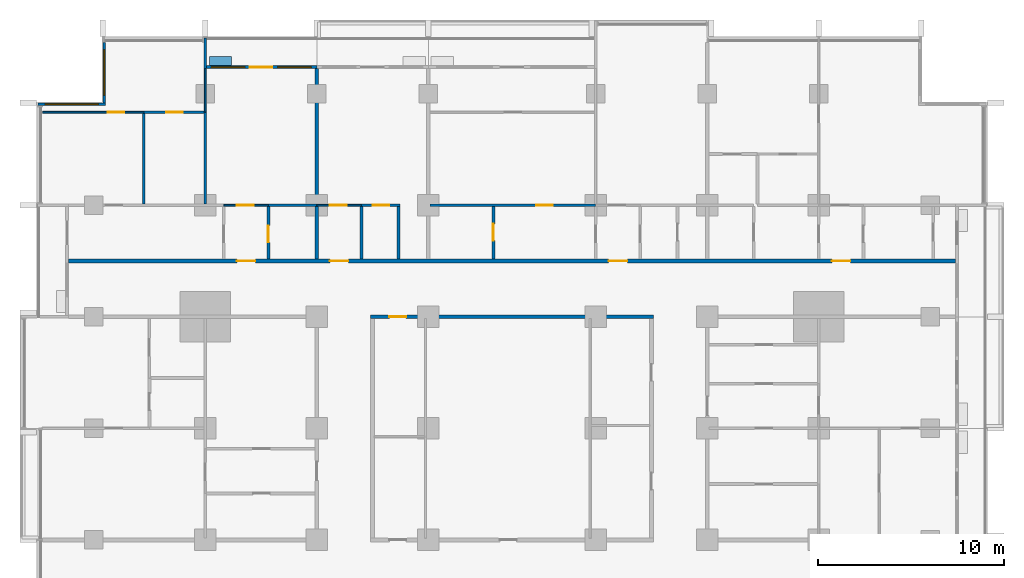
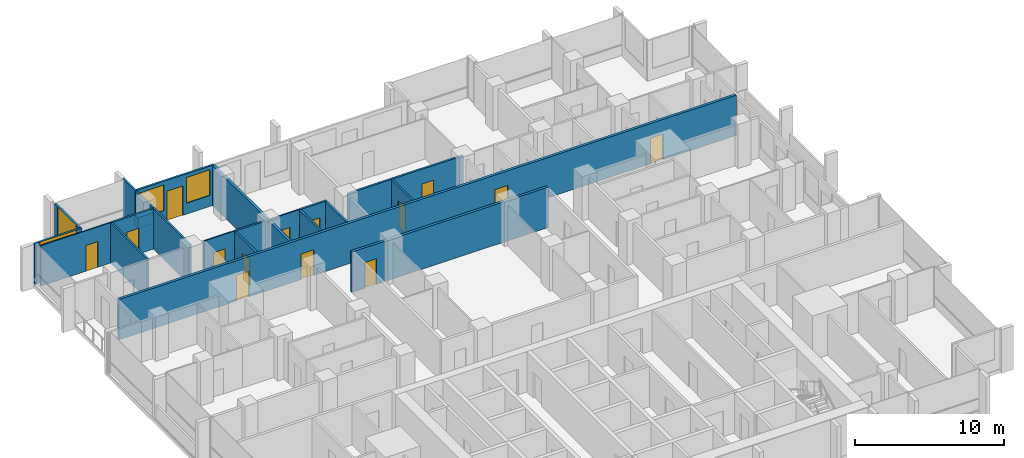
# One storey, part 11 of 18: 23 walls, 14 doors, 4 windows, 18 openings.
"""IFC4 building model written with IfcOpenShell, lengths in metres."""

from ifc_helpers import new_model, si_unit, direction, frame, frame_2d, origin, place, context, subcontext, project, spatial, rectangle, extrude, material, layer, layer_set, type_object, element, fill, save


model = new_model("IFC4")

# Units and contexts
model_context = context("Model", 3, precision=1e-05, world=origin(), true_north=direction((0.0, 1.0)))
body_context = subcontext(model_context, "Body", "Model", "MODEL_VIEW")
ifc_project = project(units=[si_unit("LENGTHUNIT", "METRE"), si_unit("AREAUNIT", "SQUARE_METRE"), si_unit("VOLUMEUNIT", "CUBIC_METRE"), si_unit("PLANEANGLEUNIT", "RADIAN"), si_unit("MASSUNIT", "GRAM", prefix="KILO")], contexts=[model_context])

# Site, building, storey
site_placement = place(None, origin())
site = spatial("IfcSite", under=ifc_project, at=site_placement, CompositionType="ELEMENT")
building_placement = place(site_placement, origin())
building = spatial("IfcBuilding", under=site, at=building_placement, Name="Finial Court Residences", CompositionType="ELEMENT")
storey_placement = place(building_placement, frame((0.0, 0.0, 109.89990234375)))
storey = spatial("IfcBuildingStorey", under=building, at=storey_placement, Name="L27", CompositionType="ELEMENT", Elevation=109.89990234375)

# Walls
ifc_material_1 = material(Name="Gypsum board")
ifc_layer_1 = layer(ifc_material_1, 0.02490234375)
ifc_material_2 = material(Name="Acoustic mineral wool in double frame")
ifc_layer_2 = layer(ifc_material_2, 0.14990234375)
ifc_layer_3 = layer(ifc_material_1, 0.02490234375)
ifc_layer_set_1 = layer_set([ifc_layer_1, ifc_layer_2, ifc_layer_3], Name="Acoustic party wall 200, 1 hour")
wall_type_1 = type_object("IfcWallType", Name="Acoustic party wall 200, 1 hour", PredefinedType="PARTITIONING", material=ifc_layer_set_1)
wall_1_placement = place(storey_placement, frame((-10.5, 10.60009765625, 0.0), z_axis=(0.0, 0.0, 1.0), x_axis=(0.0, 1.0, 0.0)))
element("IfcWall", 1, at=wall_1_placement, inside=storey, type_object=wall_type_1, Name="Partition L27-061", PredefinedType="PARTITIONING", context=body_context, shape_type="SweptSolid", body=[
    extrude(rectangle(XDim=2.824951171875, YDim=0.199951171875, at=frame_2d((1.41259765625, 0.0))), origin(), (0.0, 0.0, 1.0), 3.300048828125),
])
wall_2_placement = place(storey_placement, frame((-10.5, 13.574951171875, 0.0), z_axis=(0.0, 0.0, 1.0), x_axis=(0.0, 1.0, 0.0)))
element("IfcWall", 2, at=wall_2_placement, inside=storey, type_object=wall_type_1, Name="Partition L27-062", PredefinedType="PARTITIONING", context=body_context, shape_type="SweptSolid", body=[
    extrude(rectangle(XDim=7.275146484375, YDim=0.199951171875, at=frame_2d((3.6376953125, 0.0))), origin(), (0.0, 0.0, 1.0), 3.300048828125),
])

# Wall, opening, door
ifc_layer_4 = layer(ifc_material_1, 0.02490234375)
ifc_layer_5 = layer(ifc_material_2, 0.14990234375)
ifc_layer_6 = layer(ifc_material_1, 0.02490234375)
ifc_layer_set_2 = layer_set([ifc_layer_4, ifc_layer_5, ifc_layer_6], Name="Corridor wall 200, 1 hour")
wall_type_2 = type_object("IfcWallType", Name="Corridor wall 200, 1 hour", PredefinedType="PARTITIONING", material=ifc_layer_set_2)
wall_3_placement = place(storey_placement, frame((-7.60009765625, 7.5, 0.0), z_axis=(0.0, 0.0, 1.0), x_axis=(1.0, 0.0, 0.0)))
wall_3 = element("IfcWall", 3, at=wall_3_placement, inside=storey, type_object=wall_type_2, Name="Partition L27-025", PredefinedType="PARTITIONING", context=body_context, shape_type="SweptSolid", body=[
    extrude(rectangle(XDim=15.2001953125, YDim=0.199951171875, at=frame_2d((7.60009765625, 0.0))), origin(), (0.0, 0.0, 1.0), 3.300048828125),
])
opening_1_placement = place(wall_3_placement, frame((1.0, 0.0, 0.0)))
opening_1 = element("IfcOpeningElement", 4, at=opening_1_placement, cuts=wall_3, Name="Opening L27-D017", PredefinedType="OPENING", context=body_context, shape_type="SweptSolid", body=[
    extrude(rectangle(XDim=0.89990234375, YDim=2.10009765625, at=frame_2d((0.449951171875, 1.050048828125))), frame((0.0, 0.10986328125, 0.0), z_axis=(0.0, -1.0, 0.0), x_axis=(1.0, 0.0, 0.0)), (0.0, 0.0, 1.0), 0.219970703125),
])
ifc_material_3 = material(Name="Timber door leaf in hollow metal frame", Category="wood")
door_type_1 = type_object("IfcDoorType", Name="Fire door set 900 x 2100, 30 minutes", OperationType="SINGLE_SWING_LEFT", PredefinedType="DOOR", material=ifc_material_3)
door_1_placement = place(opening_1_placement, origin())
door_1 = element("IfcDoor", 5, at=door_1_placement, inside=storey, type_object=door_type_1, Name="Door L27-D017", OperationType="SINGLE_SWING_LEFT", OverallHeight=2.10009765625, OverallWidth=0.89990234375, PredefinedType="DOOR", context=body_context, shape_type="SweptSolid", body=[
    extrude(rectangle(XDim=0.89990234375, YDim=2.10009765625, at=frame_2d((0.449951171875, 1.050048828125))), frame((0.0, 0.02490234375, 0.0), z_axis=(0.0, -1.0, 0.0), x_axis=(1.0, 0.0, 0.0)), (0.0, 0.0, 1.0), 0.050048828125),
])
fill(opening_1, door_1)

# Wall, openings, doors
wall_4_placement = place(storey_placement, frame((-23.85009765625, 10.5, 0.0), z_axis=(0.0, 0.0, 1.0), x_axis=(1.0, 0.0, 0.0)))
wall_4 = element("IfcWall", 6, at=wall_4_placement, inside=storey, type_object=wall_type_2, Name="Partition L27-027", PredefinedType="PARTITIONING", context=body_context, shape_type="SweptSolid", body=[
    extrude(rectangle(XDim=47.7001953125, YDim=0.199951171875, at=frame_2d((23.85009765625, 0.0))), origin(), (0.0, 0.0, 1.0), 3.300048828125),
])
opening_2_placement = place(wall_4_placement, frame((9.050048828125, 0.0, 0.0)))
opening_2 = element("IfcOpeningElement", 7, at=opening_2_placement, cuts=wall_4, Name="Opening L27-D018", PredefinedType="OPENING", context=body_context, shape_type="SweptSolid", body=[
    extrude(rectangle(XDim=1.0, YDim=2.10009765625, at=frame_2d((0.5, 1.050048828125))), frame((0.0, 0.10986328125, 0.0), z_axis=(0.0, -1.0, 0.0), x_axis=(1.0, 0.0, 0.0)), (0.0, 0.0, 1.0), 0.219970703125),
])
opening_3_placement = place(wall_4_placement, frame((14.050048828125, 0.0, 0.0)))
opening_3 = element("IfcOpeningElement", 8, at=opening_3_placement, cuts=wall_4, Name="Opening L27-D019", PredefinedType="OPENING", context=body_context, shape_type="SweptSolid", body=[
    extrude(rectangle(XDim=1.0, YDim=2.10009765625, at=frame_2d((0.5, 1.050048828125))), frame((0.0, 0.10986328125, 0.0), z_axis=(0.0, -1.0, 0.0), x_axis=(1.0, 0.0, 0.0)), (0.0, 0.0, 1.0), 0.219970703125),
])
opening_4_placement = place(wall_4_placement, frame((29.050048828125, 0.0, 0.0)))
opening_4 = element("IfcOpeningElement", 9, at=opening_4_placement, cuts=wall_4, Name="Opening L27-D020", PredefinedType="OPENING", context=body_context, shape_type="SweptSolid", body=[
    extrude(rectangle(XDim=1.0, YDim=2.10009765625, at=frame_2d((0.5, 1.050048828125))), frame((0.0, 0.10986328125, 0.0), z_axis=(0.0, -1.0, 0.0), x_axis=(1.0, 0.0, 0.0)), (0.0, 0.0, 1.0), 0.219970703125),
])
opening_5_placement = place(wall_4_placement, frame((41.050048828125, 0.0, 0.0)))
opening_5 = element("IfcOpeningElement", 10, at=opening_5_placement, cuts=wall_4, Name="Opening L27-D021", PredefinedType="OPENING", context=body_context, shape_type="SweptSolid", body=[
    extrude(rectangle(XDim=1.0, YDim=2.10009765625, at=frame_2d((0.5, 1.050048828125))), frame((0.0, 0.10986328125, 0.0), z_axis=(0.0, -1.0, 0.0), x_axis=(1.0, 0.0, 0.0)), (0.0, 0.0, 1.0), 0.219970703125),
])
door_type_2 = type_object("IfcDoorType", Name="Fire door set 1000 x 2100, 30 minutes", OperationType="SINGLE_SWING_LEFT", PredefinedType="DOOR", material=ifc_material_3)
door_2_placement = place(opening_2_placement, origin())
door_2 = element("IfcDoor", 11, at=door_2_placement, inside=storey, type_object=door_type_2, Name="Door L27-D018", OperationType="SINGLE_SWING_RIGHT", OverallHeight=2.10009765625, OverallWidth=1.0, PredefinedType="DOOR", context=body_context, shape_type="SweptSolid", body=[
    extrude(rectangle(XDim=1.0, YDim=2.10009765625, at=frame_2d((0.5, 1.050048828125))), frame((0.0, 0.02490234375, 0.0), z_axis=(0.0, -1.0, 0.0), x_axis=(1.0, 0.0, 0.0)), (0.0, 0.0, 1.0), 0.050048828125),
])
fill(opening_2, door_2)
door_3_placement = place(opening_3_placement, origin())
door_3 = element("IfcDoor", 12, at=door_3_placement, inside=storey, type_object=door_type_2, Name="Door L27-D019", OperationType="SINGLE_SWING_RIGHT", OverallHeight=2.10009765625, OverallWidth=1.0, PredefinedType="DOOR", context=body_context, shape_type="SweptSolid", body=[
    extrude(rectangle(XDim=1.0, YDim=2.10009765625, at=frame_2d((0.5, 1.050048828125))), frame((0.0, 0.02490234375, 0.0), z_axis=(0.0, -1.0, 0.0), x_axis=(1.0, 0.0, 0.0)), (0.0, 0.0, 1.0), 0.050048828125),
])
fill(opening_3, door_3)
door_4_placement = place(opening_4_placement, origin())
door_4 = element("IfcDoor", 13, at=door_4_placement, inside=storey, type_object=door_type_2, Name="Door L27-D020", OperationType="SINGLE_SWING_LEFT", OverallHeight=2.10009765625, OverallWidth=1.0, PredefinedType="DOOR", context=body_context, shape_type="SweptSolid", body=[
    extrude(rectangle(XDim=1.0, YDim=2.10009765625, at=frame_2d((0.5, 1.050048828125))), frame((0.0, 0.02490234375, 0.0), z_axis=(0.0, -1.0, 0.0), x_axis=(1.0, 0.0, 0.0)), (0.0, 0.0, 1.0), 0.050048828125),
])
fill(opening_4, door_4)
door_5_placement = place(opening_5_placement, origin())
door_5 = element("IfcDoor", 14, at=door_5_placement, inside=storey, type_object=door_type_2, Name="Door L27-D021", OperationType="SINGLE_SWING_LEFT", OverallHeight=2.10009765625, OverallWidth=1.0, PredefinedType="DOOR", context=body_context, shape_type="SweptSolid", body=[
    extrude(rectangle(XDim=1.0, YDim=2.10009765625, at=frame_2d((0.5, 1.050048828125))), frame((0.0, 0.02490234375, 0.0), z_axis=(0.0, -1.0, 0.0), x_axis=(1.0, 0.0, 0.0)), (0.0, 0.0, 1.0), 0.050048828125),
])
fill(opening_5, door_5)

# Wall, opening, door
ifc_layer_7 = layer(ifc_material_1, 0.012451171875)
ifc_material_4 = material(Name="Mineral wool in light-gauge frame")
ifc_layer_8 = layer(ifc_material_4, 0.074951171875)
ifc_layer_9 = layer(ifc_material_1, 0.012451171875)
ifc_layer_set_3 = layer_set([ifc_layer_7, ifc_layer_8, ifc_layer_9], Name="Gypsum board partition 100")
wall_type_3 = type_object("IfcWallType", Name="Gypsum board partition 100", PredefinedType="PARTITIONING", material=ifc_layer_set_3)
wall_5_placement = place(storey_placement, frame((-15.5, 13.5, 0.0), z_axis=(0.0, 0.0, 1.0), x_axis=(1.0, 0.0, 0.0)))
wall_5 = element("IfcWall", 15, at=wall_5_placement, inside=storey, type_object=wall_type_3, Name="Partition L27-028", PredefinedType="PARTITIONING", context=body_context, shape_type="SweptSolid", body=[
    extrude(rectangle(XDim=2.39990234375, YDim=0.10009765625, at=frame_2d((1.199951171875, 0.0))), origin(), (0.0, 0.0, 1.0), 3.300048828125),
])
opening_6_placement = place(wall_5_placement, frame((0.699951171875, 0.0, 0.0)))
opening_6 = element("IfcOpeningElement", 16, at=opening_6_placement, cuts=wall_5, Name="Opening L27-D022", PredefinedType="OPENING", context=body_context, shape_type="SweptSolid", body=[
    extrude(rectangle(XDim=0.89990234375, YDim=2.10009765625, at=frame_2d((0.449951171875, 1.050048828125))), frame((0.0, 0.06005859375, 0.0), z_axis=(0.0, -1.0, 0.0), x_axis=(1.0, 0.0, 0.0)), (0.0, 0.0, 1.0), 0.1201171875),
])
ifc_material_5 = material(Name="Timber door leaf in timber frame", Category="wood")
door_type_3 = type_object("IfcDoorType", Name="Door set 900 x 2100", OperationType="SINGLE_SWING_LEFT", PredefinedType="DOOR", material=ifc_material_5)
door_6_placement = place(opening_6_placement, origin())
door_6 = element("IfcDoor", 17, at=door_6_placement, inside=storey, type_object=door_type_3, Name="Door L27-D022", OperationType="SINGLE_SWING_RIGHT", OverallHeight=2.10009765625, OverallWidth=0.89990234375, PredefinedType="DOOR", context=body_context, shape_type="SweptSolid", body=[
    extrude(rectangle(XDim=0.89990234375, YDim=2.10009765625, at=frame_2d((0.449951171875, 1.050048828125))), frame((0.0, 0.02490234375, 0.0), z_axis=(0.0, -1.0, 0.0), x_axis=(1.0, 0.0, 0.0)), (0.0, 0.0, 1.0), 0.050048828125),
])
fill(opening_6, door_6)

wall_6_placement = place(storey_placement, frame((-10.5, 13.5, 0.0), z_axis=(0.0, 0.0, 1.0), x_axis=(1.0, 0.0, 0.0)))
wall_6 = element("IfcWall", 18, at=wall_6_placement, inside=storey, type_object=wall_type_3, Name="Partition L27-029", PredefinedType="PARTITIONING", context=body_context, shape_type="SweptSolid", body=[
    extrude(rectangle(XDim=2.39990234375, YDim=0.10009765625, at=frame_2d((1.199951171875, 0.0))), origin(), (0.0, 0.0, 1.0), 3.300048828125),
])
opening_7_placement = place(wall_6_placement, frame((0.699951171875, 0.0, 0.0)))
opening_7 = element("IfcOpeningElement", 19, at=opening_7_placement, cuts=wall_6, Name="Opening L27-D023", PredefinedType="OPENING", context=body_context, shape_type="SweptSolid", body=[
    extrude(rectangle(XDim=0.89990234375, YDim=2.10009765625, at=frame_2d((0.449951171875, 1.050048828125))), frame((0.0, 0.06005859375, 0.0), z_axis=(0.0, -1.0, 0.0), x_axis=(1.0, 0.0, 0.0)), (0.0, 0.0, 1.0), 0.1201171875),
])
door_7_placement = place(opening_7_placement, origin())
door_7 = element("IfcDoor", 20, at=door_7_placement, inside=storey, type_object=door_type_3, Name="Door L27-D023", OperationType="SINGLE_SWING_LEFT", OverallHeight=2.10009765625, OverallWidth=0.89990234375, PredefinedType="DOOR", context=body_context, shape_type="SweptSolid", body=[
    extrude(rectangle(XDim=0.89990234375, YDim=2.10009765625, at=frame_2d((0.449951171875, 1.050048828125))), frame((0.0, 0.02490234375, 0.0), z_axis=(0.0, -1.0, 0.0), x_axis=(1.0, 0.0, 0.0)), (0.0, 0.0, 1.0), 0.050048828125),
])
fill(opening_7, door_7)

wall_7_placement = place(storey_placement, frame((-25.25, 18.5, 0.0), z_axis=(0.0, 0.0, 1.0), x_axis=(1.0, 0.0, 0.0)))
wall_7 = element("IfcWall", 21, at=wall_7_placement, inside=storey, type_object=wall_type_3, Name="Partition L27-041", PredefinedType="PARTITIONING", context=body_context, shape_type="SweptSolid", body=[
    extrude(rectangle(XDim=5.449951171875, YDim=0.10009765625, at=frame_2d((2.72509765625, 0.0))), origin(), (0.0, 0.0, 1.0), 3.300048828125),
])
opening_8_placement = place(wall_7_placement, frame((3.5, 0.0, 0.0)))
opening_8 = element("IfcOpeningElement", 22, at=opening_8_placement, cuts=wall_7, Name="Opening L27-D031", PredefinedType="OPENING", context=body_context, shape_type="SweptSolid", body=[
    extrude(rectangle(XDim=0.89990234375, YDim=2.10009765625, at=frame_2d((0.449951171875, 1.050048828125))), frame((0.0, 0.06005859375, 0.0), z_axis=(0.0, -1.0, 0.0), x_axis=(1.0, 0.0, 0.0)), (0.0, 0.0, 1.0), 0.1201171875),
])
door_8_placement = place(opening_8_placement, origin())
door_8 = element("IfcDoor", 23, at=door_8_placement, inside=storey, type_object=door_type_3, Name="Door L27-D031", OperationType="SINGLE_SWING_LEFT", OverallHeight=2.10009765625, OverallWidth=0.89990234375, PredefinedType="DOOR", context=body_context, shape_type="SweptSolid", body=[
    extrude(rectangle(XDim=0.89990234375, YDim=2.10009765625, at=frame_2d((0.449951171875, 1.050048828125))), frame((0.0, 0.02490234375, 0.0), z_axis=(0.0, -1.0, 0.0), x_axis=(1.0, 0.0, 0.0)), (0.0, 0.0, 1.0), 0.050048828125),
])
fill(opening_8, door_8)

# Walls
wall_8_placement = place(storey_placement, frame((-16.5, 18.5, 0.0), z_axis=(0.0, 0.0, 1.0), x_axis=(0.0, 1.0, 0.0)))
element("IfcWall", 24, at=wall_8_placement, inside=storey, type_object=wall_type_3, Name="Partition L27-051", PredefinedType="PARTITIONING", context=body_context, shape_type="SweptSolid", body=[
    extrude(rectangle(XDim=2.35009765625, YDim=0.10009765625, at=frame_2d((1.175048828125, 0.0))), origin(), (0.0, 0.0, 1.0), 3.300048828125),
])
ifc_material_6 = material(Name="Moisture-resistant gypsum board")
ifc_layer_10 = layer(ifc_material_6, 0.012451171875)
ifc_layer_11 = layer(ifc_material_4, 0.125)
ifc_layer_12 = layer(ifc_material_6, 0.012451171875)
ifc_layer_set_4 = layer_set([ifc_layer_10, ifc_layer_11, ifc_layer_12], Name="Gypsum board wet-area partition 150")
wall_type_4 = type_object("IfcWallType", Name="Gypsum board wet-area partition 150", PredefinedType="PARTITIONING", material=ifc_layer_set_4)
wall_9_placement = place(storey_placement, frame((-13.10009765625, 13.5, 0.0), z_axis=(0.0, 0.0, 1.0), x_axis=(1.0, 0.0, 0.0)))
element("IfcWall", 25, at=wall_9_placement, inside=storey, type_object=wall_type_4, Name="Partition L27-033", PredefinedType="PARTITIONING", context=body_context, shape_type="SweptSolid", body=[
    extrude(rectangle(XDim=2.60009765625, YDim=0.14990234375, at=frame_2d((1.300048828125, 0.0))), origin(), (0.0, 0.0, 1.0), 3.300048828125),
])

# Wall, opening, door
wall_10_placement = place(storey_placement, frame((-8.10009765625, 13.5, 0.0), z_axis=(0.0, 0.0, 1.0), x_axis=(1.0, 0.0, 0.0)))
wall_10 = element("IfcWall", 26, at=wall_10_placement, inside=storey, type_object=wall_type_4, Name="Partition L27-034", PredefinedType="PARTITIONING", context=body_context, shape_type="SweptSolid", body=[
    extrude(rectangle(XDim=2.0751953125, YDim=0.14990234375, at=frame_2d((1.03759765625, 0.0))), origin(), (0.0, 0.0, 1.0), 3.300048828125),
])
opening_9_placement = place(wall_10_placement, frame((0.60009765625, 0.0, 0.0)))
opening_9 = element("IfcOpeningElement", 27, at=opening_9_placement, cuts=wall_10, Name="Opening L27-D027", PredefinedType="OPENING", context=body_context, shape_type="SweptSolid", body=[
    extrude(rectangle(XDim=0.89990234375, YDim=2.10009765625, at=frame_2d((0.449951171875, 1.050048828125))), frame((0.0, 0.0849609375, 0.0), z_axis=(0.0, -1.0, 0.0), x_axis=(1.0, 0.0, 0.0)), (0.0, 0.0, 1.0), 0.169921875),
])
door_9_placement = place(opening_9_placement, origin())
door_9 = element("IfcDoor", 28, at=door_9_placement, inside=storey, type_object=door_type_3, Name="Door L27-D027", OperationType="SINGLE_SWING_LEFT", OverallHeight=2.10009765625, OverallWidth=0.89990234375, PredefinedType="DOOR", context=body_context, shape_type="SweptSolid", body=[
    extrude(rectangle(XDim=0.89990234375, YDim=2.10009765625, at=frame_2d((0.449951171875, 1.050048828125))), frame((0.0, 0.02490234375, 0.0), z_axis=(0.0, -1.0, 0.0), x_axis=(1.0, 0.0, 0.0)), (0.0, 0.0, 1.0), 0.050048828125),
])
fill(opening_9, door_9)

wall_11_placement = place(storey_placement, frame((-4.39990234375, 13.5, 0.0), z_axis=(0.0, 0.0, 1.0), x_axis=(1.0, 0.0, 0.0)))
wall_11 = element("IfcWall", 29, at=wall_11_placement, inside=storey, type_object=wall_type_4, Name="Partition L27-035", PredefinedType="PARTITIONING", context=body_context, shape_type="SweptSolid", body=[
    extrude(rectangle(XDim=8.89990234375, YDim=0.14990234375, at=frame_2d((4.449951171875, 0.0))), origin(), (0.0, 0.0, 1.0), 3.300048828125),
])
opening_10_placement = place(wall_11_placement, frame((5.699951171875, 0.0, 0.0)))
opening_10 = element("IfcOpeningElement", 30, at=opening_10_placement, cuts=wall_11, Name="Opening L27-D028", PredefinedType="OPENING", context=body_context, shape_type="SweptSolid", body=[
    extrude(rectangle(XDim=0.89990234375, YDim=2.10009765625, at=frame_2d((0.449951171875, 1.050048828125))), frame((0.0, 0.0849609375, 0.0), z_axis=(0.0, -1.0, 0.0), x_axis=(1.0, 0.0, 0.0)), (0.0, 0.0, 1.0), 0.169921875),
])
door_10_placement = place(opening_10_placement, origin())
door_10 = element("IfcDoor", 31, at=door_10_placement, inside=storey, type_object=door_type_3, Name="Door L27-D028", OperationType="SINGLE_SWING_LEFT", OverallHeight=2.10009765625, OverallWidth=0.89990234375, PredefinedType="DOOR", context=body_context, shape_type="SweptSolid", body=[
    extrude(rectangle(XDim=0.89990234375, YDim=2.10009765625, at=frame_2d((0.449951171875, 1.050048828125))), frame((0.0, 0.02490234375, 0.0), z_axis=(0.0, -1.0, 0.0), x_axis=(1.0, 0.0, 0.0)), (0.0, 0.0, 1.0), 0.050048828125),
])
fill(opening_10, door_10)

wall_12_placement = place(storey_placement, frame((-19.800048828125, 18.5, 0.0), z_axis=(0.0, 0.0, 1.0), x_axis=(1.0, 0.0, 0.0)))
wall_12 = element("IfcWall", 32, at=wall_12_placement, inside=storey, type_object=wall_type_4, Name="Partition L27-043", PredefinedType="PARTITIONING", context=body_context, shape_type="SweptSolid", body=[
    extrude(rectangle(XDim=3.22509765625, YDim=0.14990234375, at=frame_2d((1.612548828125, 0.0))), origin(), (0.0, 0.0, 1.0), 3.300048828125),
])
opening_11_placement = place(wall_12_placement, frame((1.199951171875, 0.0, 0.0)))
opening_11 = element("IfcOpeningElement", 33, at=opening_11_placement, cuts=wall_12, Name="Opening L27-D033", PredefinedType="OPENING", context=body_context, shape_type="SweptSolid", body=[
    extrude(rectangle(XDim=0.89990234375, YDim=2.10009765625, at=frame_2d((0.449951171875, 1.050048828125))), frame((0.0, 0.0849609375, 0.0), z_axis=(0.0, -1.0, 0.0), x_axis=(1.0, 0.0, 0.0)), (0.0, 0.0, 1.0), 0.169921875),
])
door_11_placement = place(opening_11_placement, origin())
door_11 = element("IfcDoor", 34, at=door_11_placement, inside=storey, type_object=door_type_3, Name="Door L27-D033", OperationType="SINGLE_SWING_RIGHT", OverallHeight=2.10009765625, OverallWidth=0.89990234375, PredefinedType="DOOR", context=body_context, shape_type="SweptSolid", body=[
    extrude(rectangle(XDim=0.89990234375, YDim=2.10009765625, at=frame_2d((0.449951171875, 1.050048828125))), frame((0.0, 0.02490234375, 0.0), z_axis=(0.0, -1.0, 0.0), x_axis=(1.0, 0.0, 0.0)), (0.0, 0.0, 1.0), 0.050048828125),
])
fill(opening_11, door_11)

# Walls
wall_13_placement = place(storey_placement, frame((-19.800048828125, 13.574951171875, 0.0), z_axis=(0.0, 0.0, 1.0), x_axis=(0.0, 1.0, 0.0)))
element("IfcWall", 35, at=wall_13_placement, inside=storey, type_object=wall_type_4, Name="Partition L27-046", PredefinedType="PARTITIONING", context=body_context, shape_type="SweptSolid", body=[
    extrude(rectangle(XDim=4.85009765625, YDim=0.14990234375, at=frame_2d((2.425048828125, 0.0))), origin(), (0.0, 0.0, 1.0), 3.300048828125),
])
wall_14_placement = place(storey_placement, frame((-16.5, 13.574951171875, 0.0), z_axis=(0.0, 0.0, 1.0), x_axis=(0.0, 1.0, 0.0)))
element("IfcWall", 36, at=wall_14_placement, inside=storey, type_object=wall_type_4, Name="Partition L27-054", PredefinedType="PARTITIONING", context=body_context, shape_type="SweptSolid", body=[
    extrude(rectangle(XDim=4.925048828125, YDim=0.14990234375, at=frame_2d((2.46240234375, 0.0))), origin(), (0.0, 0.0, 1.0), 3.300048828125),
])

# Wall, opening, door
wall_15_placement = place(storey_placement, frame((-13.10009765625, 10.60009765625, 0.0), z_axis=(0.0, 0.0, 1.0), x_axis=(0.0, 1.0, 0.0)))
wall_15 = element("IfcWall", 37, at=wall_15_placement, inside=storey, type_object=wall_type_4, Name="Partition L27-059", PredefinedType="PARTITIONING", context=body_context, shape_type="SweptSolid", body=[
    extrude(rectangle(XDim=2.824951171875, YDim=0.14990234375, at=frame_2d((1.41259765625, 0.0))), origin(), (0.0, 0.0, 1.0), 3.300048828125),
])
opening_12_placement = place(wall_15_placement, frame((0.89990234375, 0.0, 0.0)))
opening_12 = element("IfcOpeningElement", 38, at=opening_12_placement, cuts=wall_15, Name="Opening L27-D042", PredefinedType="OPENING", context=body_context, shape_type="SweptSolid", body=[
    extrude(rectangle(XDim=0.89990234375, YDim=2.10009765625, at=frame_2d((0.449951171875, 1.050048828125))), frame((0.0, 0.0849609375, 0.0), z_axis=(0.0, -1.0, 0.0), x_axis=(1.0, 0.0, 0.0)), (0.0, 0.0, 1.0), 0.169921875),
])
door_12_placement = place(opening_12_placement, origin())
door_12 = element("IfcDoor", 39, at=door_12_placement, inside=storey, type_object=door_type_3, Name="Door L27-D042", OperationType="SINGLE_SWING_RIGHT", OverallHeight=2.10009765625, OverallWidth=0.89990234375, PredefinedType="DOOR", context=body_context, shape_type="SweptSolid", body=[
    extrude(rectangle(XDim=0.89990234375, YDim=2.10009765625, at=frame_2d((0.449951171875, 1.050048828125))), frame((0.0, 0.02490234375, 0.0), z_axis=(0.0, -1.0, 0.0), x_axis=(1.0, 0.0, 0.0)), (0.0, 0.0, 1.0), 0.050048828125),
])
fill(opening_12, door_12)

# Walls
for number, where, z_axis, x_axis, name in (
    (40, (-8.10009765625, 10.60009765625, 0.0), (0.0, 0.0, 1.0), (0.0, 1.0, 0.0), "Partition L27-063"),
    (41, (-6.10009765625, 10.60009765625, 0.0), (0.0, 0.0, 1.0), (0.0, 1.0, 0.0), "Partition L27-065"),
):
    element("IfcWall", number, at=place(storey_placement, frame(where, z_axis=z_axis, x_axis=x_axis)), inside=storey, type_object=wall_type_4, Name=name, PredefinedType="PARTITIONING", context=body_context, shape_type="SweptSolid", body=[
        extrude(rectangle(XDim=2.824951171875, YDim=0.14990234375, at=frame_2d((1.41259765625, 0.0))), origin(), (0.0, 0.0, 1.0), 3.300048828125),
    ])

# Wall, opening, door
wall_16_placement = place(storey_placement, frame((-1.0, 10.60009765625, 0.0), z_axis=(0.0, 0.0, 1.0), x_axis=(0.0, 1.0, 0.0)))
wall_16 = element("IfcWall", 42, at=wall_16_placement, inside=storey, type_object=wall_type_4, Name="Partition L27-068", PredefinedType="PARTITIONING", context=body_context, shape_type="SweptSolid", body=[
    extrude(rectangle(XDim=2.824951171875, YDim=0.14990234375, at=frame_2d((1.41259765625, 0.0))), origin(), (0.0, 0.0, 1.0), 3.300048828125),
])
opening_13_placement = place(wall_16_placement, frame((1.0, 0.0, 0.0)))
opening_13 = element("IfcOpeningElement", 43, at=opening_13_placement, cuts=wall_16, Name="Opening L27-D044", PredefinedType="OPENING", context=body_context, shape_type="SweptSolid", body=[
    extrude(rectangle(XDim=0.89990234375, YDim=2.10009765625, at=frame_2d((0.449951171875, 1.050048828125))), frame((0.0, 0.0849609375, 0.0), z_axis=(0.0, -1.0, 0.0), x_axis=(1.0, 0.0, 0.0)), (0.0, 0.0, 1.0), 0.169921875),
])
door_13_placement = place(opening_13_placement, origin())
door_13 = element("IfcDoor", 44, at=door_13_placement, inside=storey, type_object=door_type_3, Name="Door L27-D044", OperationType="SINGLE_SWING_LEFT", OverallHeight=2.10009765625, OverallWidth=0.89990234375, PredefinedType="DOOR", context=body_context, shape_type="SweptSolid", body=[
    extrude(rectangle(XDim=0.89990234375, YDim=2.10009765625, at=frame_2d((0.449951171875, 1.050048828125))), frame((0.0, 0.02490234375, 0.0), z_axis=(0.0, -1.0, 0.0), x_axis=(1.0, 0.0, 0.0)), (0.0, 0.0, 1.0), 0.050048828125),
])
fill(opening_13, door_13)

# Wall, opening, window
ifc_material_7 = material(Name="Natural limestone", Category="masonry")
ifc_layer_13 = layer(ifc_material_7, 0.14990234375)
ifc_layer_set_5 = layer_set([ifc_layer_13], Name="Limestone clad wall 150")
wall_type_5 = type_object("IfcWallType", Name="Limestone clad wall 150", PredefinedType="SOLIDWALL", material=ifc_layer_set_5)
wall_17_placement = place(storey_placement, frame((-21.925048828125, 19.0, 0.0), z_axis=(0.0, 0.0, 1.0), x_axis=(0.0, 1.0, 0.0)))
wall_17 = element("IfcWall", 45, at=wall_17_placement, inside=storey, type_object=wall_type_5, Name="E-L27-NWW16", PredefinedType="SOLIDWALL", context=body_context, shape_type="SweptSolid", body=[
    extrude(rectangle(XDim=3.25, YDim=0.14990234375, at=frame_2d((1.625, 0.0))), origin(), (0.0, 0.0, 1.0), 3.300048828125),
])
opening_14_placement = place(wall_17_placement, frame((0.39990234375, 0.0, 0.89990234375)))
opening_14 = element("IfcOpeningElement", 46, at=opening_14_placement, cuts=wall_17, Name="Opening WE27-05", PredefinedType="OPENING", context=body_context, shape_type="SweptSolid", body=[
    extrude(rectangle(XDim=2.449951171875, YDim=2.39990234375, at=frame_2d((1.22509765625, 1.199951171875))), frame((0.0, 0.0849609375, 0.0), z_axis=(0.0, -1.0, 0.0), x_axis=(1.0, 0.0, 0.0)), (0.0, 0.0, 1.0), 0.169921875),
])
ifc_material_8 = material(Name="Clear low-e glass", Category="glass")
window_type_1 = type_object("IfcWindowType", Name="Corner window 2450 x 2400", PartitioningType="SINGLE_PANEL", PredefinedType="WINDOW", material=ifc_material_8)
window_1_placement = place(opening_14_placement, origin())
window_1 = element("IfcWindow", 47, at=window_1_placement, inside=storey, type_object=window_type_1, Name="E-L27-NWW16-W1", OverallHeight=2.39990234375, OverallWidth=2.449951171875, PartitioningType="SINGLE_PANEL", PredefinedType="WINDOW", context=body_context, shape_type="SweptSolid", body=[
    extrude(rectangle(XDim=2.449951171875, YDim=2.39990234375, at=frame_2d((1.22509765625, 1.199951171875))), frame((0.0, 0.030029296875, 0.0), z_axis=(0.0, -1.0, 0.0), x_axis=(1.0, 0.0, 0.0)), (0.0, 0.0, 1.0), 0.06005859375),
])
fill(opening_14, window_1)

wall_18_placement = place(storey_placement, frame((-25.5, 18.925048828125, 0.0), z_axis=(0.0, 0.0, 1.0), x_axis=(1.0, 0.0, 0.0)))
wall_18 = element("IfcWall", 48, at=wall_18_placement, inside=storey, type_object=wall_type_5, Name="E-L27-NWN17", PredefinedType="SOLIDWALL", context=body_context, shape_type="SweptSolid", body=[
    extrude(rectangle(XDim=3.64990234375, YDim=0.14990234375, at=frame_2d((1.824951171875, 0.0))), origin(), (0.0, 0.0, 1.0), 3.300048828125),
])
opening_15_placement = place(wall_18_placement, frame((0.39990234375, 0.0, 0.89990234375)))
opening_15 = element("IfcOpeningElement", 49, at=opening_15_placement, cuts=wall_18, Name="Opening WE27-06", PredefinedType="OPENING", context=body_context, shape_type="SweptSolid", body=[
    extrude(rectangle(XDim=2.85009765625, YDim=2.39990234375, at=frame_2d((1.425048828125, 1.199951171875))), frame((0.0, 0.0849609375, 0.0), z_axis=(0.0, -1.0, 0.0), x_axis=(1.0, 0.0, 0.0)), (0.0, 0.0, 1.0), 0.169921875),
])
window_type_2 = type_object("IfcWindowType", Name="Corner window 2850 x 2400", PartitioningType="SINGLE_PANEL", PredefinedType="WINDOW", material=ifc_material_8)
window_2_placement = place(opening_15_placement, origin())
window_2 = element("IfcWindow", 50, at=window_2_placement, inside=storey, type_object=window_type_2, Name="E-L27-NWN17-W1", OverallHeight=2.39990234375, OverallWidth=2.85009765625, PartitioningType="SINGLE_PANEL", PredefinedType="WINDOW", context=body_context, shape_type="SweptSolid", body=[
    extrude(rectangle(XDim=2.85009765625, YDim=2.39990234375, at=frame_2d((1.425048828125, 1.199951171875))), frame((0.0, 0.030029296875, 0.0), z_axis=(0.0, -1.0, 0.0), x_axis=(1.0, 0.0, 0.0)), (0.0, 0.0, 1.0), 0.06005859375),
])
fill(opening_15, window_2)

# Wall
wall_19_placement = place(storey_placement, frame((-16.5, 20.85009765625, 0.0), z_axis=(0.0, 0.0, 1.0), x_axis=(0.0, 1.0, 0.0)))
element("IfcWall", 51, at=wall_19_placement, inside=storey, type_object=wall_type_5, Name="E-L27-BALN2-P1", PredefinedType="SOLIDWALL", context=body_context, shape_type="SweptSolid", body=[
    extrude(rectangle(XDim=1.64990234375, YDim=0.14990234375, at=frame_2d((0.824951171875, 0.0))), origin(), (0.0, 0.0, 1.0), 3.300048828125),
])

# Wall, openings, door, windows
wall_20_placement = place(storey_placement, frame((-16.425048828125, 20.925048828125, 0.0), z_axis=(0.0, 0.0, 1.0), x_axis=(1.0, 0.0, 0.0)))
wall_20 = element("IfcWall", 52, at=wall_20_placement, inside=storey, type_object=wall_type_5, Name="E-L27-L27-BALN2-W", PredefinedType="SOLIDWALL", context=body_context, shape_type="SweptSolid", body=[
    extrude(rectangle(XDim=5.925048828125, YDim=0.14990234375, at=frame_2d((2.96240234375, 0.0))), origin(), (0.0, 0.0, 1.0), 3.300048828125),
])
opening_16_placement = place(wall_20_placement, frame((2.324951171875, 0.0, 0.0)))
opening_16 = element("IfcOpeningElement", 53, at=opening_16_placement, cuts=wall_20, Name="Opening DE27-01", PredefinedType="OPENING", context=body_context, shape_type="SweptSolid", body=[
    extrude(rectangle(XDim=1.199951171875, YDim=2.39990234375, at=frame_2d((0.60009765625, 1.199951171875))), frame((0.0, 0.0849609375, 0.0), z_axis=(0.0, -1.0, 0.0), x_axis=(1.0, 0.0, 0.0)), (0.0, 0.0, 1.0), 0.169921875),
])
opening_17_placement = place(wall_20_placement, frame((0.262451171875, 0.0, 0.89990234375)))
opening_17 = element("IfcOpeningElement", 54, at=opening_17_placement, cuts=wall_20, Name="Opening WE27-09", PredefinedType="OPENING", context=body_context, shape_type="SweptSolid", body=[
    extrude(rectangle(XDim=1.800048828125, YDim=2.10009765625, at=frame_2d((0.89990234375, 1.050048828125))), frame((0.0, 0.0849609375, 0.0), z_axis=(0.0, -1.0, 0.0), x_axis=(1.0, 0.0, 0.0)), (0.0, 0.0, 1.0), 0.169921875),
])
opening_18_placement = place(wall_20_placement, frame((3.824951171875, 0.0, 0.89990234375)))
opening_18 = element("IfcOpeningElement", 55, at=opening_18_placement, cuts=wall_20, Name="Opening WE27-10", PredefinedType="OPENING", context=body_context, shape_type="SweptSolid", body=[
    extrude(rectangle(XDim=1.800048828125, YDim=2.10009765625, at=frame_2d((0.89990234375, 1.050048828125))), frame((0.0, 0.0849609375, 0.0), z_axis=(0.0, -1.0, 0.0), x_axis=(1.0, 0.0, 0.0)), (0.0, 0.0, 1.0), 0.169921875),
])
ifc_material_9 = material(Name="Bronze anodised aluminium", Category="aluminium")
door_type_4 = type_object("IfcDoorType", Name="Balcony door 1200 x 2400", OperationType="SINGLE_SWING_LEFT", PredefinedType="DOOR", material=ifc_material_9)
door_14_placement = place(opening_16_placement, origin())
door_14 = element("IfcDoor", 56, at=door_14_placement, inside=storey, type_object=door_type_4, Name="E-L27-L27-BALN2-W-D", OperationType="SINGLE_SWING_LEFT", OverallHeight=2.39990234375, OverallWidth=1.199951171875, PredefinedType="DOOR", context=body_context, shape_type="SweptSolid", body=[
    extrude(rectangle(XDim=1.199951171875, YDim=2.39990234375, at=frame_2d((0.60009765625, 1.199951171875))), frame((0.0, 0.02490234375, 0.0), z_axis=(0.0, -1.0, 0.0), x_axis=(1.0, 0.0, 0.0)), (0.0, 0.0, 1.0), 0.050048828125),
])
fill(opening_16, door_14)
window_type_3 = type_object("IfcWindowType", Name="Balcony window 1800 x 2100", PartitioningType="SINGLE_PANEL", PredefinedType="WINDOW", material=ifc_material_8)
window_3_placement = place(opening_17_placement, origin())
window_3 = element("IfcWindow", 57, at=window_3_placement, inside=storey, type_object=window_type_3, Name="E-L27-L27-BALN2-W-W1", OverallHeight=2.10009765625, OverallWidth=1.800048828125, PartitioningType="SINGLE_PANEL", PredefinedType="WINDOW", context=body_context, shape_type="SweptSolid", body=[
    extrude(rectangle(XDim=1.800048828125, YDim=2.10009765625, at=frame_2d((0.89990234375, 1.050048828125))), frame((0.0, 0.030029296875, 0.0), z_axis=(0.0, -1.0, 0.0), x_axis=(1.0, 0.0, 0.0)), (0.0, 0.0, 1.0), 0.06005859375),
])
fill(opening_17, window_3)
window_4_placement = place(opening_18_placement, origin())
window_4 = element("IfcWindow", 58, at=window_4_placement, inside=storey, type_object=window_type_3, Name="E-L27-L27-BALN2-W-W2", OverallHeight=2.10009765625, OverallWidth=1.800048828125, PartitioningType="SINGLE_PANEL", PredefinedType="WINDOW", context=body_context, shape_type="SweptSolid", body=[
    extrude(rectangle(XDim=1.800048828125, YDim=2.10009765625, at=frame_2d((0.89990234375, 1.050048828125))), frame((0.0, 0.030029296875, 0.0), z_axis=(0.0, -1.0, 0.0), x_axis=(1.0, 0.0, 0.0)), (0.0, 0.0, 1.0), 0.06005859375),
])
fill(opening_18, window_4)

# Wall
ifc_material_10 = material(Name="Concrete C40/50", Category="concrete")
ifc_layer_14 = layer(ifc_material_10, 0.10009765625)
ifc_material_11 = material(Name="Planting soil", Category="soil")
ifc_layer_15 = layer(ifc_material_11, 0.300048828125)
ifc_layer_16 = layer(ifc_material_10, 0.10009765625)
ifc_layer_set_6 = layer_set([ifc_layer_14, ifc_layer_15, ifc_layer_16], Name="Planter wall, balcony")
wall_type_6 = type_object("IfcWallType", Name="Planter wall, balcony", PredefinedType="USERDEFINED", material=ifc_layer_set_6)
wall_21_placement = place(storey_placement, frame((-16.27490234375, 21.25, 0.0), z_axis=(0.0, 0.0, 1.0), x_axis=(1.0, 0.0, 0.0)))
element("IfcWall", 59, at=wall_21_placement, inside=storey, type_object=wall_type_6, Name="E-L27-BALN2-PL", ObjectType="PLANTER", PredefinedType="USERDEFINED", context=body_context, shape_type="SweptSolid", body=[
    extrude(rectangle(XDim=1.199951171875, YDim=0.5, at=frame_2d((0.60009765625, 0.0))), origin(), (0.0, 0.0, 1.0), 0.900146484375),
])

save(model, "model.ifc")
